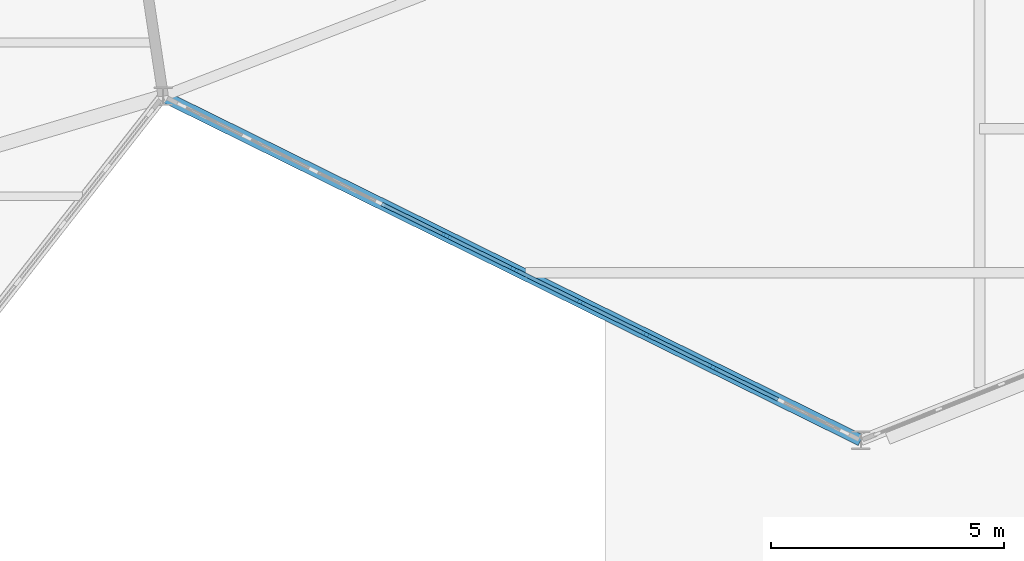
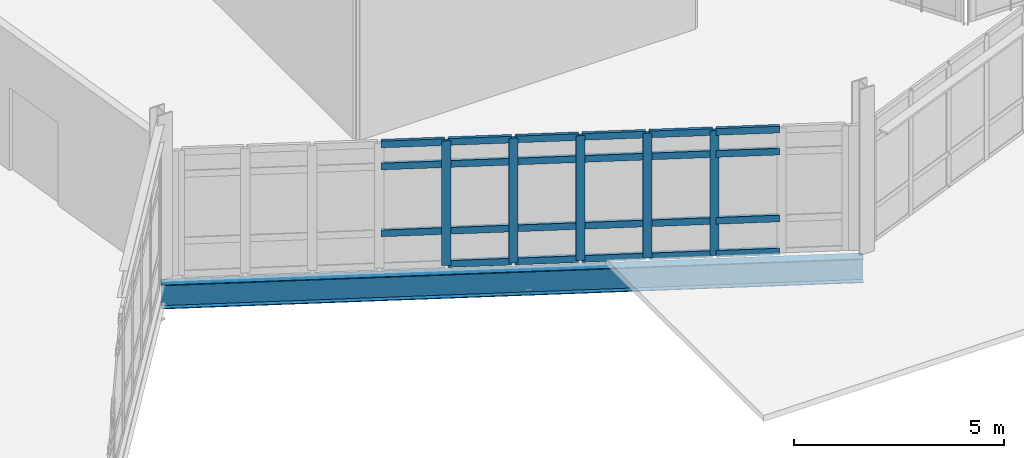
# One storey, part 30 of 134: 28 members, 1 beam, 1 element without a shape of its own.
"""IFC4 building model written with IfcOpenShell, lengths in metres."""

from ifc_helpers import new_model, si_unit, direction, frame, origin, origin_2d, place, context, subcontext, project, spatial, rectangle, i_section, extrude, material, material_profile, profile_set, type_object, element, aggregate, save


model = new_model("IFC4")

# Units and contexts
model_context = context("Model", 3, precision=1e-05, world=origin(), true_north=direction((0.0, 1.0)))
body_context = subcontext(model_context, "Body", "Model", "MODEL_VIEW")
ifc_project = project(units=[si_unit("LENGTHUNIT", "METRE"), si_unit("AREAUNIT", "SQUARE_METRE"), si_unit("VOLUMEUNIT", "CUBIC_METRE"), si_unit("PLANEANGLEUNIT", "RADIAN"), si_unit("MASSUNIT", "GRAM", prefix="KILO")], contexts=[model_context])

# Site, building, storey
site_placement = place(None, origin())
site = spatial("IfcSite", under=ifc_project, at=site_placement, CompositionType="ELEMENT")
building_placement = place(site_placement, origin())
building = spatial("IfcBuilding", under=site, at=building_placement, Name="Tameran Prism Museum", CompositionType="ELEMENT")
storey_placement = place(building_placement, frame((0.0, 0.0, 5.39990234375)))
storey = spatial("IfcBuildingStorey", under=building, at=storey_placement, Name="L01", CompositionType="ELEMENT", Elevation=5.39990234375)

# Beam
ifc_material_1 = material(Name="Steel Grade 350 (350 MPa)", Category="steel")
ifc_material_profile_1 = material_profile(ifc_material_1, i_section(OverallWidth=0.25, OverallDepth=0.699951171875, WebThickness=0.010009765625, FlangeThickness=0.02001953125, at=origin_2d()))
ifc_profile_set_1 = profile_set([ifc_material_profile_1])
beam_type = type_object("IfcBeamType", Name="BM-SP700", PredefinedType="SPANDREL", material=ifc_profile_set_1)
beam_placement = place(storey_placement, frame((51.0, 30.199951171875, -0.5498046875), z_axis=(0.896808201334, -0.44241954073, 0.0), x_axis=(0.44241954073, 0.896808201334, 0.0)))
element("IfcBeam", 1, at=beam_placement, inside=storey, type_object=beam_type, Name="Perimeter Spandrel SP-0346", PredefinedType="SPANDREL", context=body_context, shape_type="SweptSolid", body=[
    extrude(i_section(OverallWidth=0.25, OverallDepth=0.699951171875, WebThickness=0.010009765625, FlangeThickness=0.02001953125, at=origin_2d()), origin(), (0.0, 0.0, 1.0), 16.72607421875),
])

# Curtain wall, members
ifc_material_2 = material(Name="Anodised Aluminium 6063-T6 and Cyclone Solar Glass", Category="aluminium")
curtain_wall_type = type_object("IfcCurtainWallType", Name="CW-FAC-1597x362", PredefinedType="USERDEFINED", material=ifc_material_2)
curtain_wall_placement = place(storey_placement, origin())
curtain_wall = element("IfcCurtainWall", 2, at=curtain_wall_placement, inside=storey, type_object=curtain_wall_type, Name="Unitised Curtain Wall CW-062", ObjectType="UNITISED CURTAIN WALL", PredefinedType="USERDEFINED")
ifc_material_3 = material(Name="Anodised Aluminium Alloy 6063-T6", Category="aluminium")
ifc_material_profile_2 = material_profile(ifc_material_3, rectangle(XDim=0.080078125, YDim=0.219970703125, at=origin_2d()))
ifc_profile_set_2 = profile_set([ifc_material_profile_2])
member_type_1 = type_object("IfcMemberType", Name="CW-MUL-D", PredefinedType="MULLION", material=ifc_profile_set_2)
member_1_placement = place(storey_placement, frame((62.822509765625, 24.36767578125, 0.0), z_axis=(0.0, 0.0, 1.0), x_axis=(-0.442396697666, -0.896819470069, 0.0)))
member_1 = element("IfcMember", 3, at=member_1_placement, type_object=member_type_1, Name="CW-062 mullion 3", PredefinedType="MULLION", context=body_context, shape_type="SweptSolid", body=[
    extrude(rectangle(XDim=0.080078125, YDim=0.219970703125, at=origin_2d()), origin(), (0.0, 0.0, 1.0), 3.6201171875),
])
member_2_placement = place(storey_placement, frame((61.390625, 25.073974609375, 0.0), z_axis=(0.0, 0.0, 1.0), x_axis=(-0.442396697666, -0.896819470069, 0.0)))
member_2 = element("IfcMember", 4, at=member_2_placement, type_object=member_type_1, Name="CW-062 mullion 4", PredefinedType="MULLION", context=body_context, shape_type="SweptSolid", body=[
    extrude(rectangle(XDim=0.080078125, YDim=0.219970703125, at=origin_2d()), origin(), (0.0, 0.0, 1.0), 3.6201171875),
])
member_3_placement = place(storey_placement, frame((59.958740234375, 25.7802734375, 0.0), z_axis=(0.0, 0.0, 1.0), x_axis=(-0.442396697666, -0.896819470069, 0.0)))
member_3 = element("IfcMember", 5, at=member_3_placement, type_object=member_type_1, Name="CW-062 mullion 5", PredefinedType="MULLION", context=body_context, shape_type="SweptSolid", body=[
    extrude(rectangle(XDim=0.080078125, YDim=0.219970703125, at=origin_2d()), origin(), (0.0, 0.0, 1.0), 3.6201171875),
])
member_4_placement = place(storey_placement, frame((58.527099609375, 26.486572265625, 0.0), z_axis=(0.0, 0.0, 1.0), x_axis=(-0.442396697666, -0.896819470069, 0.0)))
member_4 = element("IfcMember", 6, at=member_4_placement, type_object=member_type_1, Name="CW-062 mullion 6", PredefinedType="MULLION", context=body_context, shape_type="SweptSolid", body=[
    extrude(rectangle(XDim=0.080078125, YDim=0.219970703125, at=origin_2d()), origin(), (0.0, 0.0, 1.0), 3.6201171875),
])
member_5_placement = place(storey_placement, frame((57.09521484375, 27.19287109375, 0.0), z_axis=(0.0, 0.0, 1.0), x_axis=(-0.442396697666, -0.896819470069, 0.0)))
member_5 = element("IfcMember", 7, at=member_5_placement, type_object=member_type_1, Name="CW-062 mullion 7", PredefinedType="MULLION", context=body_context, shape_type="SweptSolid", body=[
    extrude(rectangle(XDim=0.080078125, YDim=0.219970703125, at=origin_2d()), origin(), (0.0, 0.0, 1.0), 3.6201171875),
])
ifc_material_4 = material(Name="Anodised Aluminium Alloy 6063-T6", Category="aluminium")
ifc_material_profile_3 = material_profile(ifc_material_4, rectangle(XDim=0.080078125, YDim=0.195068359375, at=origin_2d()))
ifc_profile_set_3 = profile_set([ifc_material_profile_3])
member_type_2 = type_object("IfcMemberType", Name="CW-TRN-D", PredefinedType="USERDEFINED", material=ifc_profile_set_3)
member_6_placement = place(storey_placement, frame((64.21826171875, 23.678955078125, 0.0400390625), z_axis=(-0.896828877657, 0.442377626243, 0.0), x_axis=(-0.442377626243, -0.896828877657, 0.0)))
member_6 = element("IfcMember", 8, at=member_6_placement, type_object=member_type_2, Name="CW-062 transom 2.1", ObjectType="TRANSOM", PredefinedType="USERDEFINED", context=body_context, shape_type="SweptSolid", body=[
    extrude(rectangle(XDim=0.080078125, YDim=0.195068359375, at=origin_2d()), origin(), (0.0, 0.0, 1.0), 1.5166015625),
])
member_7_placement = place(storey_placement, frame((64.21826171875, 23.678955078125, 1.0), z_axis=(-0.896828877657, 0.442377626243, 0.0), x_axis=(-0.442377626243, -0.896828877657, 0.0)))
member_7 = element("IfcMember", 9, at=member_7_placement, type_object=member_type_2, Name="CW-062 transom 2.2", ObjectType="TRANSOM", PredefinedType="USERDEFINED", context=body_context, shape_type="SweptSolid", body=[
    extrude(rectangle(XDim=0.080078125, YDim=0.195068359375, at=origin_2d()), origin(), (0.0, 0.0, 1.0), 1.5166015625),
])
member_8_placement = place(storey_placement, frame((64.21826171875, 23.678955078125, 2.940185546875), z_axis=(-0.896828877657, 0.442377626243, 0.0), x_axis=(-0.442377626243, -0.896828877657, 0.0)))
member_8 = element("IfcMember", 10, at=member_8_placement, type_object=member_type_2, Name="CW-062 transom 2.3", ObjectType="TRANSOM", PredefinedType="USERDEFINED", context=body_context, shape_type="SweptSolid", body=[
    extrude(rectangle(XDim=0.080078125, YDim=0.195068359375, at=origin_2d()), origin(), (0.0, 0.0, 1.0), 1.5166015625),
])
member_9_placement = place(storey_placement, frame((64.21826171875, 23.678955078125, 3.580078125), z_axis=(-0.896828877657, 0.442377626243, 0.0), x_axis=(-0.442377626243, -0.896828877657, 0.0)))
member_9 = element("IfcMember", 11, at=member_9_placement, type_object=member_type_2, Name="CW-062 transom 2.4", ObjectType="TRANSOM", PredefinedType="USERDEFINED", context=body_context, shape_type="SweptSolid", body=[
    extrude(rectangle(XDim=0.080078125, YDim=0.195068359375, at=origin_2d()), origin(), (0.0, 0.0, 1.0), 1.5166015625),
])
member_10_placement = place(storey_placement, frame((62.78662109375, 24.38525390625, 0.0400390625), z_axis=(-0.896828877657, 0.442377626243, 0.0), x_axis=(-0.442377626243, -0.896828877657, 0.0)))
member_10 = element("IfcMember", 12, at=member_10_placement, type_object=member_type_2, Name="CW-062 transom 3.1", ObjectType="TRANSOM", PredefinedType="USERDEFINED", context=body_context, shape_type="SweptSolid", body=[
    extrude(rectangle(XDim=0.080078125, YDim=0.195068359375, at=origin_2d()), origin(), (0.0, 0.0, 1.0), 1.5166015625),
])
member_11_placement = place(storey_placement, frame((62.78662109375, 24.38525390625, 1.0), z_axis=(-0.896828877657, 0.442377626243, 0.0), x_axis=(-0.442377626243, -0.896828877657, 0.0)))
member_11 = element("IfcMember", 13, at=member_11_placement, type_object=member_type_2, Name="CW-062 transom 3.2", ObjectType="TRANSOM", PredefinedType="USERDEFINED", context=body_context, shape_type="SweptSolid", body=[
    extrude(rectangle(XDim=0.080078125, YDim=0.195068359375, at=origin_2d()), origin(), (0.0, 0.0, 1.0), 1.5166015625),
])
member_12_placement = place(storey_placement, frame((62.78662109375, 24.38525390625, 2.940185546875), z_axis=(-0.896828877657, 0.442377626243, 0.0), x_axis=(-0.442377626243, -0.896828877657, 0.0)))
member_12 = element("IfcMember", 14, at=member_12_placement, type_object=member_type_2, Name="CW-062 transom 3.3", ObjectType="TRANSOM", PredefinedType="USERDEFINED", context=body_context, shape_type="SweptSolid", body=[
    extrude(rectangle(XDim=0.080078125, YDim=0.195068359375, at=origin_2d()), origin(), (0.0, 0.0, 1.0), 1.5166015625),
])
member_13_placement = place(storey_placement, frame((62.78662109375, 24.38525390625, 3.580078125), z_axis=(-0.896828877657, 0.442377626243, 0.0), x_axis=(-0.442377626243, -0.896828877657, 0.0)))
member_13 = element("IfcMember", 15, at=member_13_placement, type_object=member_type_2, Name="CW-062 transom 3.4", ObjectType="TRANSOM", PredefinedType="USERDEFINED", context=body_context, shape_type="SweptSolid", body=[
    extrude(rectangle(XDim=0.080078125, YDim=0.195068359375, at=origin_2d()), origin(), (0.0, 0.0, 1.0), 1.5166015625),
])
member_14_placement = place(storey_placement, frame((61.354736328125, 25.091552734375, 0.0400390625), z_axis=(-0.896828877657, 0.442377626243, 0.0), x_axis=(-0.442377626243, -0.896828877657, 0.0)))
member_14 = element("IfcMember", 16, at=member_14_placement, type_object=member_type_2, Name="CW-062 transom 4.1", ObjectType="TRANSOM", PredefinedType="USERDEFINED", context=body_context, shape_type="SweptSolid", body=[
    extrude(rectangle(XDim=0.080078125, YDim=0.195068359375, at=origin_2d()), origin(), (0.0, 0.0, 1.0), 1.5166015625),
])
member_15_placement = place(storey_placement, frame((61.354736328125, 25.091552734375, 1.0), z_axis=(-0.896828877657, 0.442377626243, 0.0), x_axis=(-0.442377626243, -0.896828877657, 0.0)))
member_15 = element("IfcMember", 17, at=member_15_placement, type_object=member_type_2, Name="CW-062 transom 4.2", ObjectType="TRANSOM", PredefinedType="USERDEFINED", context=body_context, shape_type="SweptSolid", body=[
    extrude(rectangle(XDim=0.080078125, YDim=0.195068359375, at=origin_2d()), origin(), (0.0, 0.0, 1.0), 1.5166015625),
])
member_16_placement = place(storey_placement, frame((61.354736328125, 25.091552734375, 2.940185546875), z_axis=(-0.896828877657, 0.442377626243, 0.0), x_axis=(-0.442377626243, -0.896828877657, 0.0)))
member_16 = element("IfcMember", 18, at=member_16_placement, type_object=member_type_2, Name="CW-062 transom 4.3", ObjectType="TRANSOM", PredefinedType="USERDEFINED", context=body_context, shape_type="SweptSolid", body=[
    extrude(rectangle(XDim=0.080078125, YDim=0.195068359375, at=origin_2d()), origin(), (0.0, 0.0, 1.0), 1.5166015625),
])
member_17_placement = place(storey_placement, frame((61.354736328125, 25.091552734375, 3.580078125), z_axis=(-0.896828877657, 0.442377626243, 0.0), x_axis=(-0.442377626243, -0.896828877657, 0.0)))
member_17 = element("IfcMember", 19, at=member_17_placement, type_object=member_type_2, Name="CW-062 transom 4.4", ObjectType="TRANSOM", PredefinedType="USERDEFINED", context=body_context, shape_type="SweptSolid", body=[
    extrude(rectangle(XDim=0.080078125, YDim=0.195068359375, at=origin_2d()), origin(), (0.0, 0.0, 1.0), 1.5166015625),
])
member_18_placement = place(storey_placement, frame((59.9228515625, 25.7978515625, 0.0400390625), z_axis=(-0.896797367048, 0.442441501732, 0.0), x_axis=(-0.442441501732, -0.896797367048, 0.0)))
member_18 = element("IfcMember", 20, at=member_18_placement, type_object=member_type_2, Name="CW-062 transom 5.1", ObjectType="TRANSOM", PredefinedType="USERDEFINED", context=body_context, shape_type="SweptSolid", body=[
    extrude(rectangle(XDim=0.080078125, YDim=0.195068359375, at=origin_2d()), origin(), (0.0, 0.0, 1.0), 1.516357421875),
])
member_19_placement = place(storey_placement, frame((59.9228515625, 25.7978515625, 1.0), z_axis=(-0.896797367048, 0.442441501732, 0.0), x_axis=(-0.442441501732, -0.896797367048, 0.0)))
member_19 = element("IfcMember", 21, at=member_19_placement, type_object=member_type_2, Name="CW-062 transom 5.2", ObjectType="TRANSOM", PredefinedType="USERDEFINED", context=body_context, shape_type="SweptSolid", body=[
    extrude(rectangle(XDim=0.080078125, YDim=0.195068359375, at=origin_2d()), origin(), (0.0, 0.0, 1.0), 1.516357421875),
])
member_20_placement = place(storey_placement, frame((59.9228515625, 25.7978515625, 2.940185546875), z_axis=(-0.896797367048, 0.442441501732, 0.0), x_axis=(-0.442441501732, -0.896797367048, 0.0)))
member_20 = element("IfcMember", 22, at=member_20_placement, type_object=member_type_2, Name="CW-062 transom 5.3", ObjectType="TRANSOM", PredefinedType="USERDEFINED", context=body_context, shape_type="SweptSolid", body=[
    extrude(rectangle(XDim=0.080078125, YDim=0.195068359375, at=origin_2d()), origin(), (0.0, 0.0, 1.0), 1.516357421875),
])
member_21_placement = place(storey_placement, frame((59.9228515625, 25.7978515625, 3.580078125), z_axis=(-0.896797367048, 0.442441501732, 0.0), x_axis=(-0.442441501732, -0.896797367048, 0.0)))
member_21 = element("IfcMember", 23, at=member_21_placement, type_object=member_type_2, Name="CW-062 transom 5.4", ObjectType="TRANSOM", PredefinedType="USERDEFINED", context=body_context, shape_type="SweptSolid", body=[
    extrude(rectangle(XDim=0.080078125, YDim=0.195068359375, at=origin_2d()), origin(), (0.0, 0.0, 1.0), 1.516357421875),
])
member_22_placement = place(storey_placement, frame((58.4912109375, 26.504150390625, 0.0400390625), z_axis=(-0.896828877657, 0.442377626243, 0.0), x_axis=(-0.442377626243, -0.896828877657, 0.0)))
member_22 = element("IfcMember", 24, at=member_22_placement, type_object=member_type_2, Name="CW-062 transom 6.1", ObjectType="TRANSOM", PredefinedType="USERDEFINED", context=body_context, shape_type="SweptSolid", body=[
    extrude(rectangle(XDim=0.080078125, YDim=0.195068359375, at=origin_2d()), origin(), (0.0, 0.0, 1.0), 1.5166015625),
])
member_23_placement = place(storey_placement, frame((58.4912109375, 26.504150390625, 1.0), z_axis=(-0.896828877657, 0.442377626243, 0.0), x_axis=(-0.442377626243, -0.896828877657, 0.0)))
member_23 = element("IfcMember", 25, at=member_23_placement, type_object=member_type_2, Name="CW-062 transom 6.2", ObjectType="TRANSOM", PredefinedType="USERDEFINED", context=body_context, shape_type="SweptSolid", body=[
    extrude(rectangle(XDim=0.080078125, YDim=0.195068359375, at=origin_2d()), origin(), (0.0, 0.0, 1.0), 1.5166015625),
])
member_24_placement = place(storey_placement, frame((58.4912109375, 26.504150390625, 2.940185546875), z_axis=(-0.896828877657, 0.442377626243, 0.0), x_axis=(-0.442377626243, -0.896828877657, 0.0)))
member_24 = element("IfcMember", 26, at=member_24_placement, type_object=member_type_2, Name="CW-062 transom 6.3", ObjectType="TRANSOM", PredefinedType="USERDEFINED", context=body_context, shape_type="SweptSolid", body=[
    extrude(rectangle(XDim=0.080078125, YDim=0.195068359375, at=origin_2d()), origin(), (0.0, 0.0, 1.0), 1.5166015625),
])
member_25_placement = place(storey_placement, frame((58.4912109375, 26.504150390625, 3.580078125), z_axis=(-0.896828877657, 0.442377626243, 0.0), x_axis=(-0.442377626243, -0.896828877657, 0.0)))
member_25 = element("IfcMember", 27, at=member_25_placement, type_object=member_type_2, Name="CW-062 transom 6.4", ObjectType="TRANSOM", PredefinedType="USERDEFINED", context=body_context, shape_type="SweptSolid", body=[
    extrude(rectangle(XDim=0.080078125, YDim=0.195068359375, at=origin_2d()), origin(), (0.0, 0.0, 1.0), 1.5166015625),
])
member_26_placement = place(storey_placement, frame((57.059326171875, 27.21044921875, 1.0), z_axis=(-0.896828877657, 0.442377626243, 0.0), x_axis=(-0.442377626243, -0.896828877657, 0.0)))
member_26 = element("IfcMember", 28, at=member_26_placement, type_object=member_type_2, Name="CW-062 transom 7.2", ObjectType="TRANSOM", PredefinedType="USERDEFINED", context=body_context, shape_type="SweptSolid", body=[
    extrude(rectangle(XDim=0.080078125, YDim=0.195068359375, at=origin_2d()), origin(), (0.0, 0.0, 1.0), 1.5166015625),
])
member_27_placement = place(storey_placement, frame((57.059326171875, 27.21044921875, 2.940185546875), z_axis=(-0.896828877657, 0.442377626243, 0.0), x_axis=(-0.442377626243, -0.896828877657, 0.0)))
member_27 = element("IfcMember", 29, at=member_27_placement, type_object=member_type_2, Name="CW-062 transom 7.3", ObjectType="TRANSOM", PredefinedType="USERDEFINED", context=body_context, shape_type="SweptSolid", body=[
    extrude(rectangle(XDim=0.080078125, YDim=0.195068359375, at=origin_2d()), origin(), (0.0, 0.0, 1.0), 1.5166015625),
])
member_28_placement = place(storey_placement, frame((57.059326171875, 27.21044921875, 3.580078125), z_axis=(-0.896828877657, 0.442377626243, 0.0), x_axis=(-0.442377626243, -0.896828877657, 0.0)))
member_28 = element("IfcMember", 30, at=member_28_placement, type_object=member_type_2, Name="CW-062 transom 7.4", ObjectType="TRANSOM", PredefinedType="USERDEFINED", context=body_context, shape_type="SweptSolid", body=[
    extrude(rectangle(XDim=0.080078125, YDim=0.195068359375, at=origin_2d()), origin(), (0.0, 0.0, 1.0), 1.5166015625),
])
aggregate(curtain_wall, [member_1, member_2, member_3, member_4, member_5, member_6, member_7, member_8, member_9, member_10, member_11, member_12, member_13, member_14, member_15, member_16, member_17, member_18, member_19, member_20, member_21, member_22, member_23, member_24, member_25, member_26, member_27, member_28])

save(model, "model.ifc")
